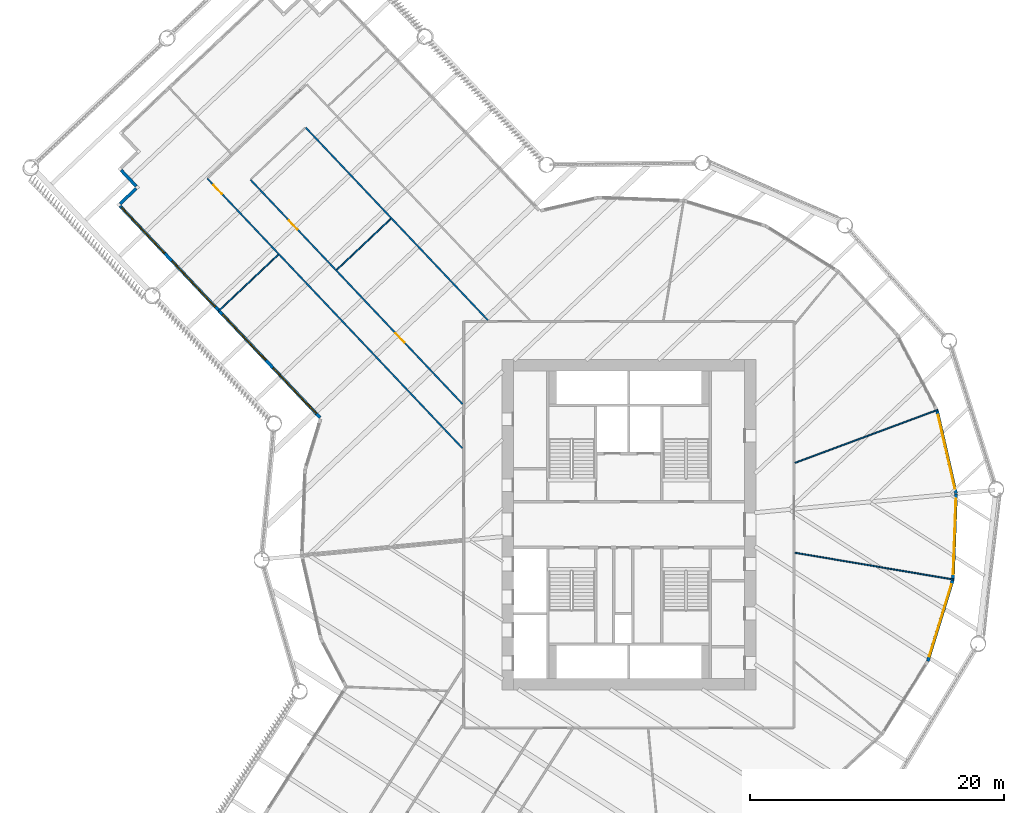
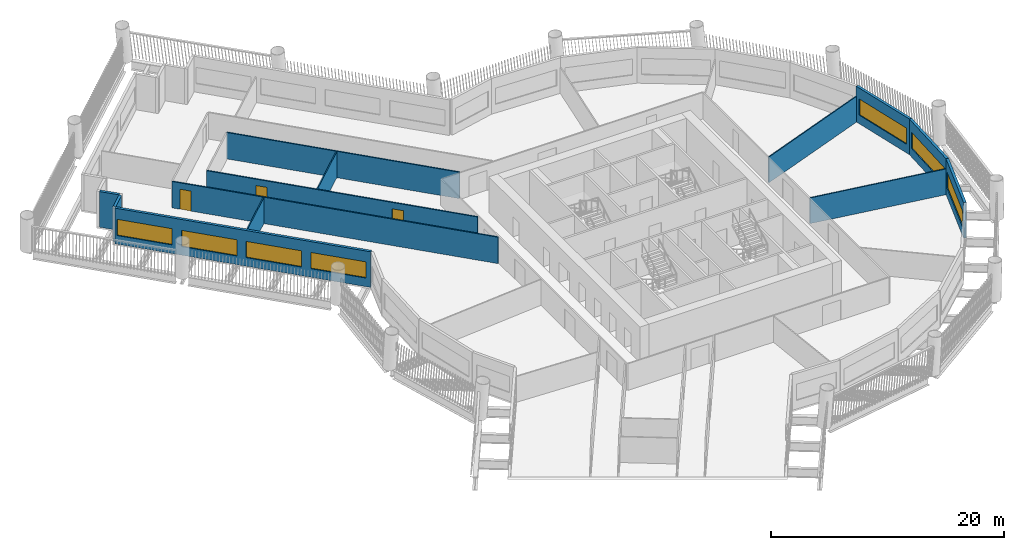
# One storey, part 6 of 15: 13 walls, 7 windows, 3 doors, 10 openings.
"""IFC4 building model written with IfcOpenShell, lengths in metres."""

from ifc_helpers import new_model, si_unit, direction, frame, frame_2d, origin, place, context, subcontext, project, spatial, rectangle, extrude, material, layer, layer_set, type_object, element, fill, save


model = new_model("IFC4")

# Units and contexts
model_context = context("Model", 3, precision=1e-05, world=origin(), true_north=direction((0.0, 1.0)))
body_context = subcontext(model_context, "Body", "Model", "MODEL_VIEW")
ifc_project = project(units=[si_unit("LENGTHUNIT", "METRE"), si_unit("AREAUNIT", "SQUARE_METRE"), si_unit("VOLUMEUNIT", "CUBIC_METRE"), si_unit("PLANEANGLEUNIT", "RADIAN"), si_unit("MASSUNIT", "GRAM", prefix="KILO")], contexts=[model_context])

# Site, building, storey
site_placement = place(None, origin())
site = spatial("IfcSite", under=ifc_project, at=site_placement, CompositionType="ELEMENT")
building_placement = place(site_placement, origin())
building = spatial("IfcBuilding", under=site, at=building_placement, Name="Tarsis Ring Headquarters", CompositionType="ELEMENT")
storey_placement = place(building_placement, frame((0.0, 0.0, 67.300048828125)))
storey = spatial("IfcBuildingStorey", under=building, at=storey_placement, Name="L14", CompositionType="ELEMENT", Elevation=67.300048828125)

# Walls
ifc_material_1 = material(Name="Gypsum board on steel studs", Category="steel")
ifc_layer_1 = layer(ifc_material_1, 0.10009765625)
ifc_layer_set_1 = layer_set([ifc_layer_1], Name="FL partition 100 unrated")
wall_type_1 = type_object("IfcWallType", Name="FL partition 100 unrated", PredefinedType="PARTITIONING", material=ifc_layer_set_1)
wall_1_placement = place(storey_placement, frame((13.069091796875, -2.21044921875, 0.0), z_axis=(0.0, 0.0, 1.0), x_axis=(0.985994415966, -0.166778330976, 0.0)))
element("IfcWall", 1, at=wall_1_placement, inside=storey, type_object=wall_type_1, Name="Partition PW3", PredefinedType="PARTITIONING", context=body_context, shape_type="SweptSolid", body=[
    extrude(rectangle(XDim=12.693115234375, YDim=0.10009765625, at=frame_2d((6.3466796875, 0.0))), origin(), (0.0, 0.0, 1.0), 2.699951171875),
])
wall_2_placement = place(storey_placement, frame((13.074951171875, 4.862548828125, 0.0), z_axis=(0.0, 0.0, 1.0), x_axis=(0.937281539737, 0.348573256675, 0.0)))
element("IfcWall", 2, at=wall_2_placement, inside=storey, type_object=wall_type_1, Name="Partition PW3", PredefinedType="PARTITIONING", context=body_context, shape_type="SweptSolid", body=[
    extrude(rectangle(XDim=11.997802734375, YDim=0.10009765625, at=frame_2d((5.9990234375, 0.0))), origin(), (0.0, 0.0, 1.0), 2.699951171875),
])
wall_3_placement = place(storey_placement, frame((-32.3251953125, 16.790771484375, 0.0), z_axis=(0.0, 0.0, 1.0), x_axis=(0.726562311221, 0.687100580638, 0.0)))
element("IfcWall", 3, at=wall_3_placement, inside=storey, type_object=wall_type_1, Name="Partition PW3", PredefinedType="PARTITIONING", context=body_context, shape_type="SweptSolid", body=[
    extrude(rectangle(XDim=6.489990234375, YDim=0.10009765625, at=frame_2d((3.2451171875, 0.0))), origin(), (0.0, 0.0, 1.0), 2.699951171875),
])
wall_4_placement = place(storey_placement, frame((-22.98828125, 20.059814453125, 0.0), z_axis=(0.0, 0.0, 1.0), x_axis=(0.726563171337, 0.687099671122, 0.0)))
element("IfcWall", 4, at=wall_4_placement, inside=storey, type_object=wall_type_1, Name="Partition PW3", PredefinedType="PARTITIONING", context=body_context, shape_type="SweptSolid", body=[
    extrude(rectangle(XDim=5.840087890625, YDim=0.10009765625, at=frame_2d((2.919921875, 0.0))), origin(), (0.0, 0.0, 1.0), 2.699951171875),
])

# Wall, opening, door
ifc_layer_2 = layer(ifc_material_1, 0.125)
ifc_layer_set_2 = layer_set([ifc_layer_2], Name="FL partition 125 EI 60 H2770")
wall_type_2 = type_object("IfcWallType", Name="FL partition 125 EI 60 H2770", PredefinedType="PARTITIONING", material=ifc_layer_set_2)
wall_5_placement = place(storey_placement, frame((-33.186279296875, 27.248779296875, 0.0), z_axis=(0.0, 0.0, 1.0), x_axis=(0.687088251451, -0.726573970576, 0.0)))
wall_5 = element("IfcWall", 5, at=wall_5_placement, inside=storey, type_object=wall_type_2, Name="Partition PW1", PredefinedType="PARTITIONING", context=body_context, shape_type="SweptSolid", body=[
    extrude(rectangle(XDim=29.239501953125, YDim=0.125, at=frame_2d((14.61962890625, 0.0))), origin(), (0.0, 0.0, 1.0), 2.77001953125),
])
opening_1_placement = place(wall_5_placement, frame((0.699951171875, 0.0, 0.0)))
opening_1 = element("IfcOpeningElement", 6, at=opening_1_placement, cuts=wall_5, Name="Opening D14.01", PredefinedType="OPENING", context=body_context, shape_type="SweptSolid", body=[
    extrude(rectangle(XDim=1.0, YDim=2.10009765625, at=frame_2d((0.5, 1.050048828125))), frame((0.0, 0.072509765625, 0.0), z_axis=(0.0, -1.0, 0.0), x_axis=(1.0, 0.0, 0.0)), (0.0, 0.0, 1.0), 0.14501953125),
])
ifc_material_2 = material(Name="Fire-rated timber door leaf in steel frame", Category="steel")
door_type = type_object("IfcDoorType", Name="FL door FD60-1000", OperationType="NOTDEFINED", PredefinedType="DOOR", material=ifc_material_2)
door_1_placement = place(opening_1_placement, origin())
door_1 = element("IfcDoor", 7, at=door_1_placement, inside=storey, type_object=door_type, Name="Door D14.01", OperationType="SINGLE_SWING_LEFT", OverallHeight=2.10009765625, OverallWidth=1.0, PredefinedType="DOOR", context=body_context, shape_type="SweptSolid", body=[
    extrude(rectangle(XDim=1.0, YDim=2.10009765625, at=frame_2d((0.5, 1.050048828125))), frame((0.0, 0.02490234375, 0.0), z_axis=(0.0, -1.0, 0.0), x_axis=(1.0, 0.0, 0.0)), (0.0, 0.0, 1.0), 0.050048828125),
])
fill(opening_1, door_1)

# Wall, openings, doors
wall_6_placement = place(storey_placement, frame((-29.79345703125, 27.15380859375, 0.0), z_axis=(0.0, 0.0, 1.0), x_axis=(0.687090079764, -0.726572241618, 0.0)))
wall_6 = element("IfcWall", 8, at=wall_6_placement, inside=storey, type_object=wall_type_2, Name="Partition PW1", PredefinedType="PARTITIONING", context=body_context, shape_type="SweptSolid", body=[
    extrude(rectangle(XDim=24.301513671875, YDim=0.125, at=frame_2d((12.15087890625, 0.0))), origin(), (0.0, 0.0, 1.0), 2.77001953125),
])
opening_2_placement = place(wall_6_placement, frame((16.634765625, 0.0, 0.0)))
opening_2 = element("IfcOpeningElement", 9, at=opening_2_placement, cuts=wall_6, Name="Opening D14.15", PredefinedType="OPENING", context=body_context, shape_type="SweptSolid", body=[
    extrude(rectangle(XDim=1.0, YDim=2.10009765625, at=frame_2d((0.5, 1.050048828125))), frame((0.0, 0.072509765625, 0.0), z_axis=(0.0, -1.0, 0.0), x_axis=(1.0, 0.0, 0.0)), (0.0, 0.0, 1.0), 0.14501953125),
])
opening_3_placement = place(wall_6_placement, frame((4.4140625, 0.0, 0.0)))
opening_3 = element("IfcOpeningElement", 10, at=opening_3_placement, cuts=wall_6, Name="Opening D14.16", PredefinedType="OPENING", context=body_context, shape_type="SweptSolid", body=[
    extrude(rectangle(XDim=1.0, YDim=2.10009765625, at=frame_2d((0.5, 1.050048828125))), frame((0.0, 0.072509765625, 0.0), z_axis=(0.0, -1.0, 0.0), x_axis=(1.0, 0.0, 0.0)), (0.0, 0.0, 1.0), 0.14501953125),
])
door_2_placement = place(opening_2_placement, origin())
door_2 = element("IfcDoor", 11, at=door_2_placement, inside=storey, type_object=door_type, Name="Door D14.15", OperationType="SINGLE_SWING_LEFT", OverallHeight=2.10009765625, OverallWidth=1.0, PredefinedType="DOOR", context=body_context, shape_type="SweptSolid", body=[
    extrude(rectangle(XDim=1.0, YDim=2.10009765625, at=frame_2d((0.5, 1.050048828125))), frame((0.0, 0.02490234375, 0.0), z_axis=(0.0, -1.0, 0.0), x_axis=(1.0, 0.0, 0.0)), (0.0, 0.0, 1.0), 0.050048828125),
])
fill(opening_2, door_2)
door_3_placement = place(opening_3_placement, origin())
door_3 = element("IfcDoor", 12, at=door_3_placement, inside=storey, type_object=door_type, Name="Door D14.16", OperationType="SINGLE_SWING_RIGHT", OverallHeight=2.10009765625, OverallWidth=1.0, PredefinedType="DOOR", context=body_context, shape_type="SweptSolid", body=[
    extrude(rectangle(XDim=1.0, YDim=2.10009765625, at=frame_2d((0.5, 1.050048828125))), frame((0.0, 0.02490234375, 0.0), z_axis=(0.0, -1.0, 0.0), x_axis=(1.0, 0.0, 0.0)), (0.0, 0.0, 1.0), 0.050048828125),
])
fill(opening_3, door_3)

# Wall
wall_7_placement = place(storey_placement, frame((-25.448486328125, 31.2626953125, 0.0), z_axis=(0.0, 0.0, 1.0), x_axis=(0.687090753963, -0.726571604054, 0.0)))
element("IfcWall", 13, at=wall_7_placement, inside=storey, type_object=wall_type_2, Name="Partition PW1", PredefinedType="PARTITIONING", context=body_context, shape_type="SweptSolid", body=[
    extrude(rectangle(XDim=20.87646484375, YDim=0.125, at=frame_2d((10.438232421875, 0.0))), origin(), (0.0, 0.0, 1.0), 2.77001953125),
])

# Wall, openings, windows
ifc_material_3 = material(Name="Terracotta clad insulated panel wall", Category="masonry")
ifc_layer_3 = layer(ifc_material_3, 0.25)
ifc_layer_set_3 = layer_set([ifc_layer_3], Name="Facade wall terracotta panel 250")
wall_type_3 = type_object("IfcWallType", Name="Facade wall terracotta panel 250", PredefinedType="STANDARD", material=ifc_layer_set_3)
wall_8_placement = place(storey_placement, frame((-40.062255859375, 25.08154296875, 0.0), z_axis=(0.0, 0.0, 1.0), x_axis=(0.687084080411, -0.726577914917, 0.0)))
wall_8 = element("IfcWall", 14, at=wall_8_placement, inside=storey, type_object=wall_type_3, Name="External wall L14-01", PredefinedType="STANDARD", context=body_context, shape_type="SweptSolid", body=[
    extrude(rectangle(XDim=22.921875, YDim=0.25, at=frame_2d((11.4609375, 0.0))), origin(), (0.0, 0.0, 1.0), 3.739990234375),
])
opening_4_placement = place(wall_8_placement, frame((0.17138671875, 0.0, 0.89990234375)))
opening_4 = element("IfcOpeningElement", 15, at=opening_4_placement, cuts=wall_8, Name="Opening WN05", PredefinedType="OPENING", context=body_context, shape_type="SweptSolid", body=[
    extrude(rectangle(XDim=4.949951171875, YDim=1.699951171875, at=frame_2d((2.47509765625, 0.85009765625))), frame((0.0, 0.135009765625, 0.0), z_axis=(0.0, -1.0, 0.0), x_axis=(1.0, 0.0, 0.0)), (0.0, 0.0, 1.0), 0.27001953125),
])
opening_5_placement = place(wall_8_placement, frame((5.964599609375, 0.0, 0.89990234375)))
opening_5 = element("IfcOpeningElement", 16, at=opening_5_placement, cuts=wall_8, Name="Opening WN05", PredefinedType="OPENING", context=body_context, shape_type="SweptSolid", body=[
    extrude(rectangle(XDim=4.949951171875, YDim=1.699951171875, at=frame_2d((2.47509765625, 0.85009765625))), frame((0.0, 0.135009765625, 0.0), z_axis=(0.0, -1.0, 0.0), x_axis=(1.0, 0.0, 0.0)), (0.0, 0.0, 1.0), 0.27001953125),
])
opening_6_placement = place(wall_8_placement, frame((11.757568359375, 0.0, 0.89990234375)))
opening_6 = element("IfcOpeningElement", 17, at=opening_6_placement, cuts=wall_8, Name="Opening WN05", PredefinedType="OPENING", context=body_context, shape_type="SweptSolid", body=[
    extrude(rectangle(XDim=4.949951171875, YDim=1.699951171875, at=frame_2d((2.47509765625, 0.85009765625))), frame((0.0, 0.135009765625, 0.0), z_axis=(0.0, -1.0, 0.0), x_axis=(1.0, 0.0, 0.0)), (0.0, 0.0, 1.0), 0.27001953125),
])
opening_7_placement = place(wall_8_placement, frame((17.550537109375, 0.0, 0.89990234375)))
opening_7 = element("IfcOpeningElement", 18, at=opening_7_placement, cuts=wall_8, Name="Opening WN05", PredefinedType="OPENING", context=body_context, shape_type="SweptSolid", body=[
    extrude(rectangle(XDim=4.949951171875, YDim=1.699951171875, at=frame_2d((2.47509765625, 0.85009765625))), frame((0.0, 0.135009765625, 0.0), z_axis=(0.0, -1.0, 0.0), x_axis=(1.0, 0.0, 0.0)), (0.0, 0.0, 1.0), 0.27001953125),
])
ifc_material_4 = material(Name="Aluminium framed double glazing", Category="aluminium")
window_type_1 = type_object("IfcWindowType", Name="Facade window 4950 x 1700", PartitioningType="SINGLE_PANEL", PredefinedType="WINDOW", material=ifc_material_4)
window_1_placement = place(opening_4_placement, origin())
window_1 = element("IfcWindow", 19, at=window_1_placement, inside=storey, type_object=window_type_1, Name="Window L14-01.1", OverallHeight=1.699951171875, OverallWidth=4.949951171875, PartitioningType="SINGLE_PANEL", PredefinedType="WINDOW", context=body_context, shape_type="SweptSolid", body=[
    extrude(rectangle(XDim=4.949951171875, YDim=1.699951171875, at=frame_2d((2.47509765625, 0.85009765625))), frame((0.0, 0.030029296875, 0.0), z_axis=(0.0, -1.0, 0.0), x_axis=(1.0, 0.0, 0.0)), (0.0, 0.0, 1.0), 0.06005859375),
])
fill(opening_4, window_1)
window_2_placement = place(opening_5_placement, origin())
window_2 = element("IfcWindow", 20, at=window_2_placement, inside=storey, type_object=window_type_1, Name="Window L14-01.2", OverallHeight=1.699951171875, OverallWidth=4.949951171875, PartitioningType="SINGLE_PANEL", PredefinedType="WINDOW", context=body_context, shape_type="SweptSolid", body=[
    extrude(rectangle(XDim=4.949951171875, YDim=1.699951171875, at=frame_2d((2.47509765625, 0.85009765625))), frame((0.0, 0.030029296875, 0.0), z_axis=(0.0, -1.0, 0.0), x_axis=(1.0, 0.0, 0.0)), (0.0, 0.0, 1.0), 0.06005859375),
])
fill(opening_5, window_2)
window_3_placement = place(opening_6_placement, origin())
window_3 = element("IfcWindow", 21, at=window_3_placement, inside=storey, type_object=window_type_1, Name="Window L14-01.3", OverallHeight=1.699951171875, OverallWidth=4.949951171875, PartitioningType="SINGLE_PANEL", PredefinedType="WINDOW", context=body_context, shape_type="SweptSolid", body=[
    extrude(rectangle(XDim=4.949951171875, YDim=1.699951171875, at=frame_2d((2.47509765625, 0.85009765625))), frame((0.0, 0.030029296875, 0.0), z_axis=(0.0, -1.0, 0.0), x_axis=(1.0, 0.0, 0.0)), (0.0, 0.0, 1.0), 0.06005859375),
])
fill(opening_6, window_3)
window_4_placement = place(opening_7_placement, origin())
window_4 = element("IfcWindow", 22, at=window_4_placement, inside=storey, type_object=window_type_1, Name="Window L14-01.4", OverallHeight=1.699951171875, OverallWidth=4.949951171875, PartitioningType="SINGLE_PANEL", PredefinedType="WINDOW", context=body_context, shape_type="SweptSolid", body=[
    extrude(rectangle(XDim=4.949951171875, YDim=1.699951171875, at=frame_2d((2.47509765625, 0.85009765625))), frame((0.0, 0.030029296875, 0.0), z_axis=(0.0, -1.0, 0.0), x_axis=(1.0, 0.0, 0.0)), (0.0, 0.0, 1.0), 0.06005859375),
])
fill(opening_7, window_4)

# Wall, opening, window
wall_9_placement = place(storey_placement, frame((23.5302734375, -10.755126953125, 0.0), z_axis=(0.0, 0.0, 1.0), x_axis=(0.294065429742, 0.955785291282, 0.0)))
wall_9 = element("IfcWall", 23, at=wall_9_placement, inside=storey, type_object=wall_type_3, Name="External wall L14-22", PredefinedType="STANDARD", context=body_context, shape_type="SweptSolid", body=[
    extrude(rectangle(XDim=6.721435546875, YDim=0.25, at=frame_2d((3.36083984375, 0.0))), origin(), (0.0, 0.0, 1.0), 3.739990234375),
])
opening_8_placement = place(wall_9_placement, frame((0.3857421875, 0.0, 0.89990234375)))
opening_8 = element("IfcOpeningElement", 24, at=opening_8_placement, cuts=wall_9, Name="Opening WN07", PredefinedType="OPENING", context=body_context, shape_type="SweptSolid", body=[
    extrude(rectangle(XDim=5.949951171875, YDim=1.699951171875, at=frame_2d((2.97509765625, 0.85009765625))), frame((0.0, 0.135009765625, 0.0), z_axis=(0.0, -1.0, 0.0), x_axis=(1.0, 0.0, 0.0)), (0.0, 0.0, 1.0), 0.27001953125),
])
window_type_2 = type_object("IfcWindowType", Name="Facade window 5950 x 1700", PartitioningType="SINGLE_PANEL", PredefinedType="WINDOW", material=ifc_material_4)
window_5_placement = place(opening_8_placement, origin())
window_5 = element("IfcWindow", 25, at=window_5_placement, inside=storey, type_object=window_type_2, Name="Window L14-22.1", OverallHeight=1.699951171875, OverallWidth=5.949951171875, PartitioningType="SINGLE_PANEL", PredefinedType="WINDOW", context=body_context, shape_type="SweptSolid", body=[
    extrude(rectangle(XDim=5.949951171875, YDim=1.699951171875, at=frame_2d((2.97509765625, 0.85009765625))), frame((0.0, 0.030029296875, 0.0), z_axis=(0.0, -1.0, 0.0), x_axis=(1.0, 0.0, 0.0)), (0.0, 0.0, 1.0), 0.06005859375),
])
fill(opening_8, window_5)

wall_10_placement = place(storey_placement, frame((25.51220703125, -4.298583984375, 0.0), z_axis=(0.0, 0.0, 1.0), x_axis=(0.036648935265, 0.999328202116, 0.0)))
wall_10 = element("IfcWall", 26, at=wall_10_placement, inside=storey, type_object=wall_type_3, Name="External wall L14-23", PredefinedType="STANDARD", context=body_context, shape_type="SweptSolid", body=[
    extrude(rectangle(XDim=6.721435546875, YDim=0.25, at=frame_2d((3.36083984375, 0.0))), origin(), (0.0, 0.0, 1.0), 3.739990234375),
])
opening_9_placement = place(wall_10_placement, frame((0.3857421875, 0.0, 0.89990234375)))
opening_9 = element("IfcOpeningElement", 27, at=opening_9_placement, cuts=wall_10, Name="Opening WN07", PredefinedType="OPENING", context=body_context, shape_type="SweptSolid", body=[
    extrude(rectangle(XDim=5.949951171875, YDim=1.699951171875, at=frame_2d((2.97509765625, 0.85009765625))), frame((0.0, 0.135009765625, 0.0), z_axis=(0.0, -1.0, 0.0), x_axis=(1.0, 0.0, 0.0)), (0.0, 0.0, 1.0), 0.27001953125),
])
window_6_placement = place(opening_9_placement, origin())
window_6 = element("IfcWindow", 28, at=window_6_placement, inside=storey, type_object=window_type_2, Name="Window L14-23.1", OverallHeight=1.699951171875, OverallWidth=5.949951171875, PartitioningType="SINGLE_PANEL", PredefinedType="WINDOW", context=body_context, shape_type="SweptSolid", body=[
    extrude(rectangle(XDim=5.949951171875, YDim=1.699951171875, at=frame_2d((2.97509765625, 0.85009765625))), frame((0.0, 0.030029296875, 0.0), z_axis=(0.0, -1.0, 0.0), x_axis=(1.0, 0.0, 0.0)), (0.0, 0.0, 1.0), 0.06005859375),
])
fill(opening_9, window_6)

wall_11_placement = place(storey_placement, frame((25.75537109375, 2.450927734375, 0.0), z_axis=(0.0, 0.0, 1.0), x_axis=(-0.223233083924, 0.974765094903, 0.0)))
wall_11 = element("IfcWall", 29, at=wall_11_placement, inside=storey, type_object=wall_type_3, Name="External wall L14-24", PredefinedType="STANDARD", context=body_context, shape_type="SweptSolid", body=[
    extrude(rectangle(XDim=6.7216796875, YDim=0.25, at=frame_2d((3.36083984375, 0.0))), origin(), (0.0, 0.0, 1.0), 3.739990234375),
])
opening_10_placement = place(wall_11_placement, frame((0.3857421875, 0.0, 0.89990234375)))
opening_10 = element("IfcOpeningElement", 30, at=opening_10_placement, cuts=wall_11, Name="Opening WN07", PredefinedType="OPENING", context=body_context, shape_type="SweptSolid", body=[
    extrude(rectangle(XDim=5.949951171875, YDim=1.699951171875, at=frame_2d((2.97509765625, 0.85009765625))), frame((0.0, 0.135009765625, 0.0), z_axis=(0.0, -1.0, 0.0), x_axis=(1.0, 0.0, 0.0)), (0.0, 0.0, 1.0), 0.27001953125),
])
window_7_placement = place(opening_10_placement, origin())
window_7 = element("IfcWindow", 31, at=window_7_placement, inside=storey, type_object=window_type_2, Name="Window L14-24.1", OverallHeight=1.699951171875, OverallWidth=5.949951171875, PartitioningType="SINGLE_PANEL", PredefinedType="WINDOW", context=body_context, shape_type="SweptSolid", body=[
    extrude(rectangle(XDim=5.949951171875, YDim=1.699951171875, at=frame_2d((2.97509765625, 0.85009765625))), frame((0.0, 0.030029296875, 0.0), z_axis=(0.0, -1.0, 0.0), x_axis=(1.0, 0.0, 0.0)), (0.0, 0.0, 1.0), 0.06005859375),
])
fill(opening_10, window_7)

# Walls
for number, where, z_axis, x_axis, name in (
    (32, (-39.9833984375, 27.908935546875, 0.0), (0.0, 0.0, 1.0), (0.687090399525, -0.726571939233, 0.0), "External wall L14-39"),
    (33, (-38.785888671875, 26.460693359375, 0.0), (0.0, 0.0, 1.0), (-0.726571939233, -0.687090399525, 0.0), "External wall L14-40"),
):
    element("IfcWall", number, at=place(storey_placement, frame(where, z_axis=z_axis, x_axis=x_axis)), inside=storey, type_object=wall_type_3, Name=name, PredefinedType="STANDARD", context=body_context, shape_type="SweptSolid", body=[
        extrude(rectangle(XDim=1.75, YDim=0.25, at=frame_2d((0.875, 0.0))), origin(), (0.0, 0.0, 1.0), 3.739990234375),
    ])

save(model, "model.ifc")
